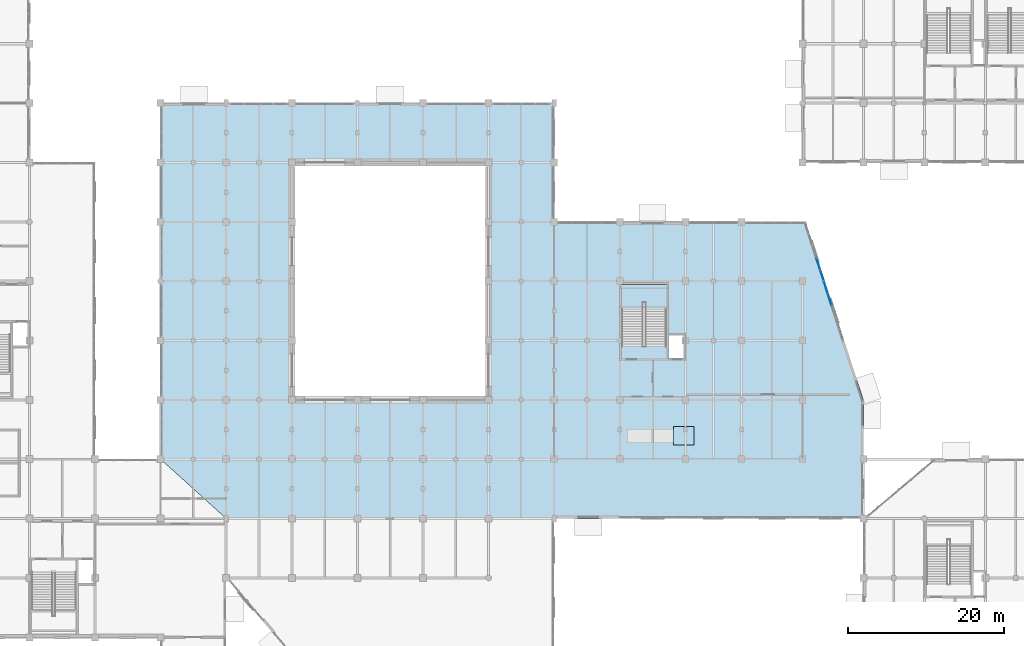
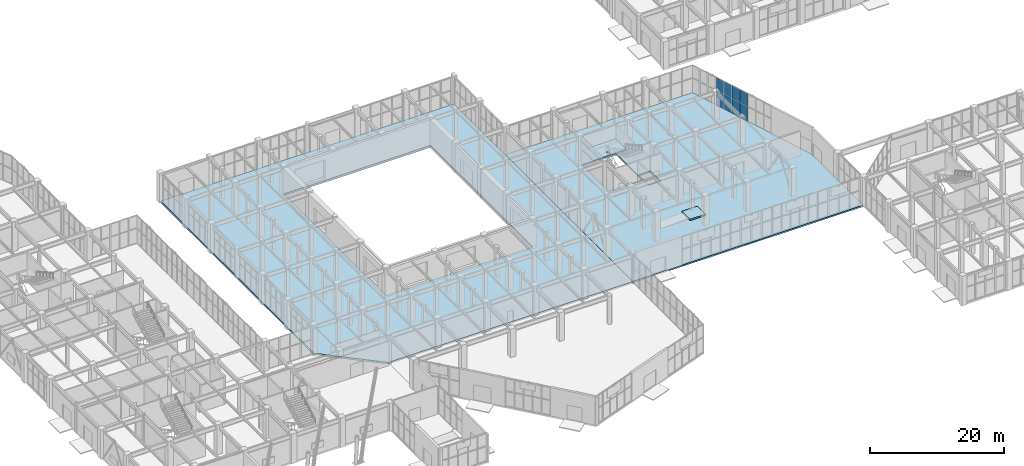
# One storey, part 105 of 139: 8 plates, 4 slabs, 3 elements without a shape of their own.
"""IFC4 building model written with IfcOpenShell, lengths in metres."""

from ifc_helpers import new_model, si_unit, direction, frame, origin, origin_2d, place, context, subcontext, project, spatial, polyline, rectangle, outline, extrude, material, layer, layer_set, type_object, element, aggregate, save


model = new_model("IFC4")

# Units and contexts
model_context = context("Model", 3, precision=1e-05, world=origin(), true_north=direction((0.0, 1.0)))
body_context = subcontext(model_context, "Body", "Model", "MODEL_VIEW")
ifc_project = project(units=[si_unit("LENGTHUNIT", "METRE"), si_unit("AREAUNIT", "SQUARE_METRE"), si_unit("VOLUMEUNIT", "CUBIC_METRE"), si_unit("PLANEANGLEUNIT", "RADIAN"), si_unit("MASSUNIT", "GRAM", prefix="KILO")], contexts=[model_context])

# Site, building, storey
site_placement = place(None, origin())
site = spatial("IfcSite", under=ifc_project, at=site_placement, CompositionType="ELEMENT")
building_placement = place(site_placement, origin())
building = spatial("IfcBuilding", under=site, at=building_placement, Name="Xicomal Pleat Aquarium", CompositionType="ELEMENT")
storey_placement = place(building_placement, origin())
storey = spatial("IfcBuildingStorey", under=building, at=storey_placement, Name="L01", CompositionType="ELEMENT", Elevation=0.0)

# Curtain wall, plates
ifc_material_1 = material(Name="Bronze anodized aluminium 6063-T6", Category="aluminium")
ifc_layer_1 = layer(ifc_material_1, 0.159912109375)
ifc_layer_set_1 = layer_set([ifc_layer_1], Name="Bronze anodized aluminium 6063-T6")
curtain_wall_type_1 = type_object("IfcCurtainWallType", Name="CW-SYS-11", PredefinedType="NOTDEFINED", material=ifc_layer_set_1)
curtain_wall_1_placement = place(storey_placement, origin())
curtain_wall_1 = element("IfcCurtainWall", 1, at=curtain_wall_1_placement, inside=storey, type_object=curtain_wall_type_1, Name="L01 unitised curtain wall CW-L01-044", PredefinedType="NOTDEFINED")
ifc_material_2 = material(Name="Insulated low-E laminated glass", Category="glass")
ifc_layer_2 = layer(ifc_material_2, 0.028076171875)
ifc_layer_set_2 = layer_set([ifc_layer_2], Name="Insulated low-E laminated glass")
plate_type_1 = type_object("IfcPlateType", Name="CWP-GLZ-28", PredefinedType="CURTAIN_PANEL", material=ifc_layer_set_2)
plate_1_placement = place(storey_placement, frame((127.993896484375, 63.037109375, 0.0849609375), z_axis=(0.0, 0.0, 1.0), x_axis=(0.308746469381, -0.951144372661, 0.0)))
plate_1 = element("IfcPlate", 2, at=plate_1_placement, type_object=plate_type_1, Name="CW-11 panel 4.1", PredefinedType="CURTAIN_PANEL", context=body_context, shape_type="SweptSolid", body=[
    extrude(rectangle(XDim=1.51318359375, YDim=0.028076171875, at=origin_2d()), origin(), (0.0, 0.0, 1.0), 2.658447265625),
])
plate_2_placement = place(storey_placement, frame((127.993896484375, 63.037109375, 2.828369140625), z_axis=(0.0, 0.0, 1.0), x_axis=(0.308746469381, -0.951144372661, 0.0)))
plate_2 = element("IfcPlate", 3, at=plate_2_placement, type_object=plate_type_1, Name="CW-11 panel 4.2", PredefinedType="CURTAIN_PANEL", context=body_context, shape_type="SweptSolid", body=[
    extrude(rectangle(XDim=1.51318359375, YDim=0.028076171875, at=origin_2d()), origin(), (0.0, 0.0, 1.0), 2.24658203125),
])
plate_3_placement = place(storey_placement, frame((128.480712890625, 61.537109375, 0.0849609375), z_axis=(0.0, 0.0, 1.0), x_axis=(0.308746469381, -0.951144372661, 0.0)))
plate_3 = element("IfcPlate", 4, at=plate_3_placement, type_object=plate_type_1, Name="CW-11 panel 5.1", PredefinedType="CURTAIN_PANEL", context=body_context, shape_type="SweptSolid", body=[
    extrude(rectangle(XDim=1.470703125, YDim=0.028076171875, at=origin_2d()), origin(), (0.0, 0.0, 1.0), 2.658447265625),
])
plate_4_placement = place(storey_placement, frame((128.480712890625, 61.537109375, 2.828369140625), z_axis=(0.0, 0.0, 1.0), x_axis=(0.308746469381, -0.951144372661, 0.0)))
plate_4 = element("IfcPlate", 5, at=plate_4_placement, type_object=plate_type_1, Name="CW-11 panel 5.2", PredefinedType="CURTAIN_PANEL", context=body_context, shape_type="SweptSolid", body=[
    extrude(rectangle(XDim=1.470703125, YDim=0.028076171875, at=origin_2d()), origin(), (0.0, 0.0, 1.0), 2.24658203125),
])
aggregate(curtain_wall_1, [plate_1, plate_2, plate_3, plate_4])

ifc_material_3 = material(Name="Bronze anodized aluminium 6063-T6", Category="aluminium")
ifc_layer_3 = layer(ifc_material_3, 0.159912109375)
ifc_layer_set_3 = layer_set([ifc_layer_3], Name="Bronze anodized aluminium 6063-T6")
curtain_wall_type_2 = type_object("IfcCurtainWallType", Name="CW-SYS-01", PredefinedType="NOTDEFINED", material=ifc_layer_set_3)
curtain_wall_2_placement = place(storey_placement, origin())
curtain_wall_2 = element("IfcCurtainWall", 6, at=curtain_wall_2_placement, inside=storey, type_object=curtain_wall_type_2, Name="L01 unitised curtain wall CW-L01-045", PredefinedType="NOTDEFINED")
ifc_material_4 = material(Name="Insulated low-E laminated glass", Category="glass")
ifc_layer_4 = layer(ifc_material_4, 0.031982421875)
ifc_layer_set_4 = layer_set([ifc_layer_4], Name="Insulated low-E laminated glass")
plate_type_2 = type_object("IfcPlateType", Name="CWP-GLZ-32", PredefinedType="CURTAIN_PANEL", material=ifc_layer_set_4)
plate_5_placement = place(storey_placement, frame((128.985595703125, 59.9814453125, 0.06494140625), z_axis=(0.0, 0.0, 1.0), x_axis=(0.308633242147, -0.951181119368, 0.0)))
plate_5 = element("IfcPlate", 7, at=plate_5_placement, type_object=plate_type_2, Name="CW-01 panel 1.1", PredefinedType="CURTAIN_PANEL", context=body_context, shape_type="SweptSolid", body=[
    extrude(rectangle(XDim=1.50048828125, YDim=0.031982421875, at=origin_2d()), origin(), (0.0, 0.0, 1.0), 2.6884765625),
])
plate_6_placement = place(storey_placement, frame((128.985595703125, 59.9814453125, 2.818359375), z_axis=(0.0, 0.0, 1.0), x_axis=(0.308633242147, -0.951181119368, 0.0)))
plate_6 = element("IfcPlate", 8, at=plate_6_placement, type_object=plate_type_2, Name="CW-01 panel 1.2", PredefinedType="CURTAIN_PANEL", context=body_context, shape_type="SweptSolid", body=[
    extrude(rectangle(XDim=1.50048828125, YDim=0.031982421875, at=origin_2d()), origin(), (0.0, 0.0, 1.0), 2.276611328125),
])
plate_7_placement = place(storey_placement, frame((129.473876953125, 58.47705078125, 0.06494140625), z_axis=(0.0, 0.0, 1.0), x_axis=(0.308633242147, -0.951181119368, 0.0)))
plate_7 = element("IfcPlate", 9, at=plate_7_placement, type_object=plate_type_2, Name="CW-01 panel 2.1", PredefinedType="CURTAIN_PANEL", context=body_context, shape_type="SweptSolid", body=[
    extrude(rectangle(XDim=1.532958984375, YDim=0.031982421875, at=origin_2d()), origin(), (0.0, 0.0, 1.0), 2.6884765625),
])
plate_8_placement = place(storey_placement, frame((129.473876953125, 58.47705078125, 2.818359375), z_axis=(0.0, 0.0, 1.0), x_axis=(0.308633242147, -0.951181119368, 0.0)))
plate_8 = element("IfcPlate", 10, at=plate_8_placement, type_object=plate_type_2, Name="CW-01 panel 2.2", PredefinedType="CURTAIN_PANEL", context=body_context, shape_type="SweptSolid", body=[
    extrude(rectangle(XDim=1.532958984375, YDim=0.031982421875, at=origin_2d()), origin(), (0.0, 0.0, 1.0), 2.276611328125),
])
aggregate(curtain_wall_2, [plate_5, plate_6, plate_7, plate_8])

# Slabs
ifc_material_5 = material(Name="Concrete C40/50", Category="concrete")
ifc_layer_5 = layer(ifc_material_5, 0.260009765625)
ifc_layer_set_5 = layer_set([ifc_layer_5], Name="Concrete C40/50")
slab_type_1 = type_object("IfcSlabType", Name="SLB-FLR-260", PredefinedType="FLOOR", material=ifc_layer_set_5)
slab_1_placement = place(storey_placement, frame((0.0, 0.0, -0.260009765625)))
element("IfcSlab", 11, at=slab_1_placement, inside=storey, type_object=slab_type_1, Name="L01 structural slab V4", PredefinedType="FLOOR", context=body_context, shape_type="SweptSolid", body=[
    extrude(outline(polyline([(126.39990234375, 68.39990234375), (133.800048828125, 45.60009765625), (133.800048828125, 30.39990234375), (94.199951171875, 30.39990234375), (94.199951171875, 68.39990234375), (126.39990234375, 68.39990234375)]), holes=[polyline([(102.840087890625, 52.47998046875), (108.6201171875, 52.47998046875), (108.6201171875, 60.39990234375), (102.840087890625, 60.39990234375), (102.840087890625, 52.47998046875)]), polyline([(108.760009765625, 50.89990234375), (110.800048828125, 50.89990234375), (110.800048828125, 53.89990234375), (108.760009765625, 53.89990234375), (108.760009765625, 50.89990234375)])]), origin(), (0.0, 0.0, 1.0), 0.260009765625),
])
slab_2_placement = place(storey_placement, origin())
element("IfcSlab", 12, at=slab_2_placement, inside=storey, type_object=slab_type_1, Name="L01 accessible ramp arrival landing PR-03", PredefinedType="FLOOR", context=body_context, shape_type="SweptSolid", body=[
    extrude(outline(polyline([(109.449951171875, 39.800048828125), (112.10009765625, 39.800048828125), (112.10009765625, 42.199951171875), (109.449951171875, 42.199951171875), (109.449951171875, 39.800048828125)])), origin(), (0.0, 0.0, 1.0), 0.25),
])
ifc_material_6 = material(Name="Concrete C40/50", Category="concrete")
ifc_layer_6 = layer(ifc_material_6, 0.324951171875)
ifc_layer_set_6 = layer_set([ifc_layer_6], Name="Concrete C40/50")
slab_type_2 = type_object("IfcSlabType", Name="SLB-FLR-325", PredefinedType="FLOOR", material=ifc_layer_set_6)
slab_3_placement = place(storey_placement, frame((0.0, 0.0, -0.324951171875)))
element("IfcSlab", 13, at=slab_3_placement, inside=storey, type_object=slab_type_2, Name="L01 structural slab V1", PredefinedType="FLOOR", context=body_context, shape_type="SweptSolid", body=[
    extrude(outline(polyline([(43.800048828125, 83.60009765625), (94.199951171875, 83.60009765625), (94.199951171875, 30.39990234375), (52.199951171875, 30.39990234375), (43.800048828125, 38.0), (43.800048828125, 83.60009765625)]), holes=[polyline([(60.60009765625, 45.60009765625), (85.800048828125, 45.60009765625), (85.800048828125, 76.0), (60.60009765625, 76.0), (60.60009765625, 45.60009765625)])]), origin(), (0.0, 0.0, 1.0), 0.324951171875),
])

# Stair, slab
ifc_material_7 = material(Name="Concrete C35/45", Category="concrete")
stair_type = type_object("IfcStairType", Name="STR-HT-5400-2400", PredefinedType="HALF_TURN_STAIR", material=ifc_material_7)
stair_placement = place(storey_placement, origin())
stair = element("IfcStair", 14, at=stair_placement, inside=storey, type_object=stair_type, Name="ST-07 fire exit stair L01 to L02", PredefinedType="HALF_TURN_STAIR")
ifc_material_8 = material(Name="Concrete C35/45", Category="concrete")
ifc_layer_7 = layer(ifc_material_8, 0.195068359375)
ifc_layer_set_7 = layer_set([ifc_layer_7], Name="Concrete C35/45")
slab_type_3 = type_object("IfcSlabType", Name="SLB-LND-195", PredefinedType="LANDING", material=ifc_layer_set_7)
slab_4_placement = place(storey_placement, frame((0.0, 0.0, 2.5048828125)))
slab_4 = element("IfcSlab", 15, at=slab_4_placement, type_object=slab_type_3, Name="ST-07 landing 1", PredefinedType="LANDING", context=body_context, shape_type="SweptSolid", body=[
    extrude(outline(polyline([(102.840087890625, 60.39990234375), (108.6201171875, 60.39990234375), (108.6201171875, 57.18994140625), (105.8798828125, 57.18994140625), (105.8798828125, 58.10009765625), (105.580078125, 58.10009765625), (105.580078125, 57.18994140625), (102.840087890625, 57.18994140625), (102.840087890625, 60.39990234375)])), origin(), (0.0, 0.0, 1.0), 0.195068359375),
])
aggregate(stair, [slab_4])

save(model, "model.ifc")
